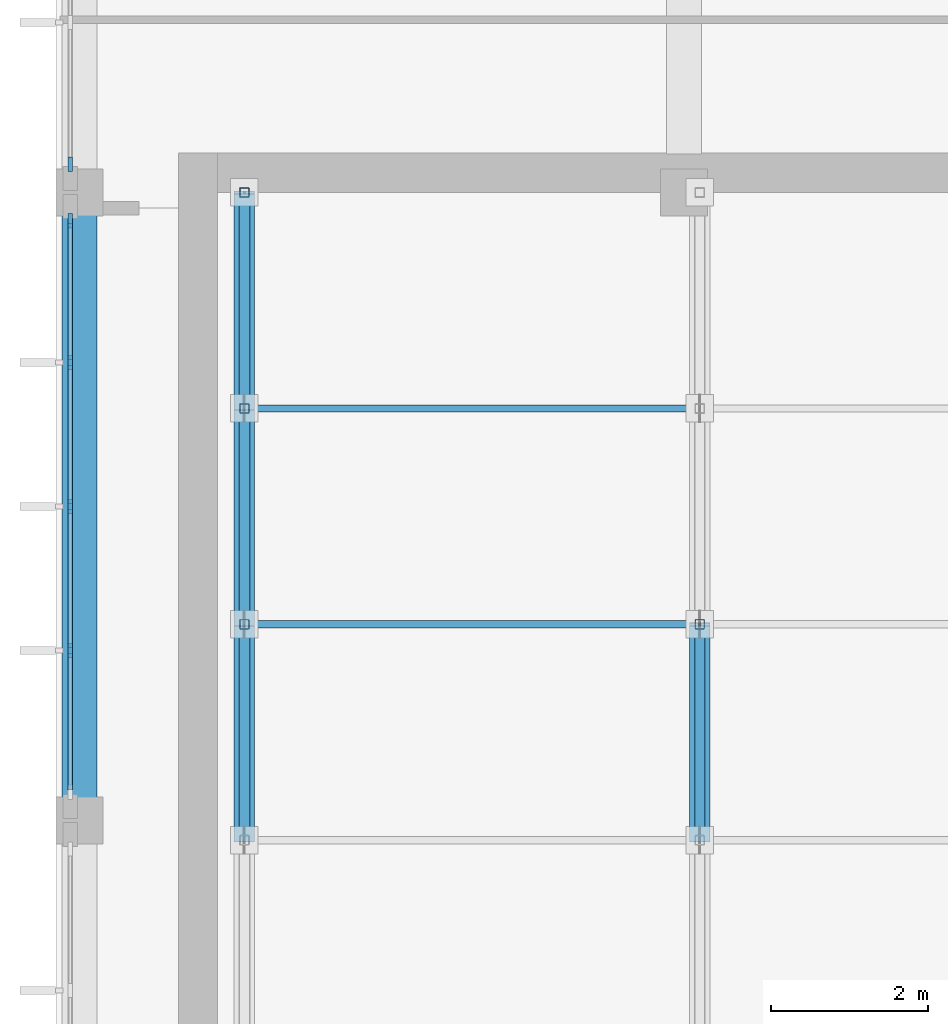
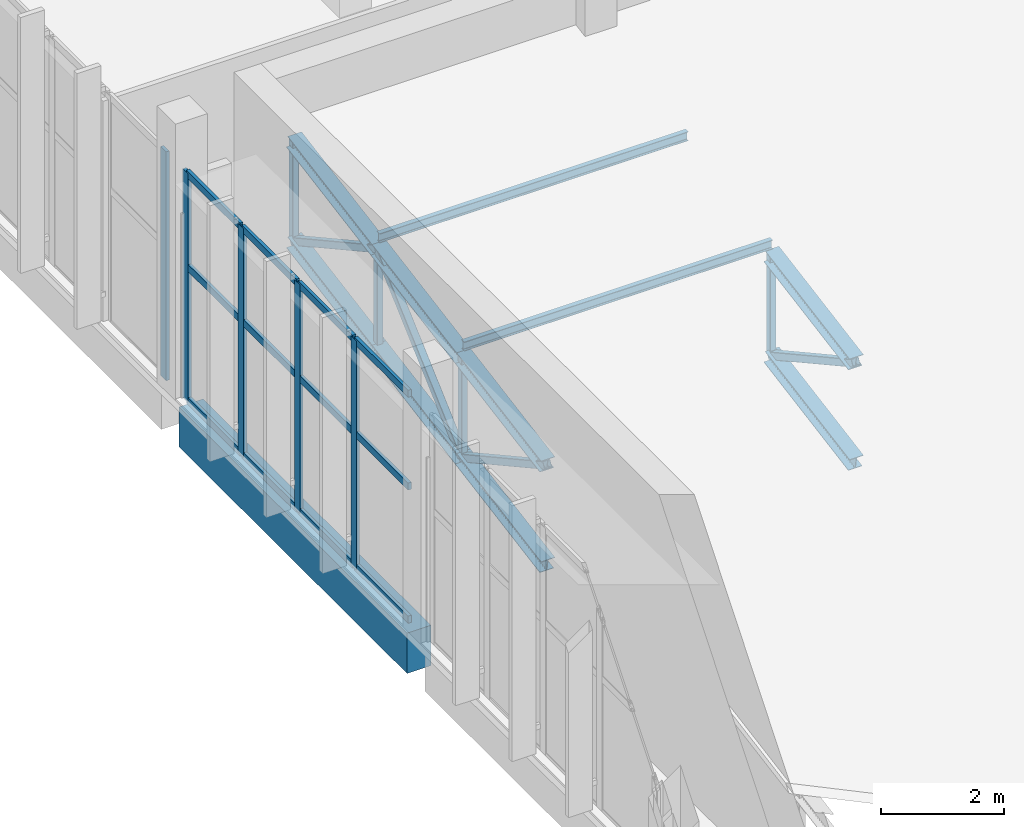
# One storey, part 17 of 132: 35 members, 1 beam, 2 elements without a shape of their own.
"""IFC4 building model written with IfcOpenShell, lengths in metres."""

from ifc_helpers import new_model, si_unit, direction, frame, origin, origin_2d, place, context, subcontext, project, spatial, rectangle, hollow_rectangle, i_section, extrude, material, layer, layer_set, material_profile, profile_set, type_object, element, aggregate, save


model = new_model("IFC4")

# Units and contexts
model_context = context("Model", 3, precision=1e-05, world=origin(), true_north=direction((0.0, 1.0)))
body_context = subcontext(model_context, "Body", "Model", "MODEL_VIEW")
ifc_project = project(units=[si_unit("LENGTHUNIT", "METRE"), si_unit("AREAUNIT", "SQUARE_METRE"), si_unit("VOLUMEUNIT", "CUBIC_METRE"), si_unit("PLANEANGLEUNIT", "RADIAN"), si_unit("MASSUNIT", "GRAM", prefix="KILO")], contexts=[model_context])

# Site, building, storey
site_placement = place(None, origin())
site = spatial("IfcSite", under=ifc_project, at=site_placement, CompositionType="ELEMENT")
building_placement = place(site_placement, origin())
building = spatial("IfcBuilding", under=site, at=building_placement, Name="Lunette Opera House", CompositionType="ELEMENT")
storey_placement = place(building_placement, frame((0.0, 0.0, 17.0)))
storey = spatial("IfcBuildingStorey", under=building, at=storey_placement, Name="L03", CompositionType="ELEMENT", Elevation=17.0)

# Members
ifc_material_1 = material(Name="Steel S355", Category="steel")
ifc_material_profile_1 = material_profile(ifc_material_1, i_section(OverallWidth=0.260009765625, OverallDepth=0.25, WebThickness=0.007568359375, FlangeThickness=0.012451171875, FilletRadius=0.02392578125, at=origin_2d()), Name="HEA 260")
ifc_profile_set_1 = profile_set([ifc_material_profile_1], Name="Steel S355")
member_type_1 = type_object("IfcMemberType", Name="CHORD HEA 260", PredefinedType="CHORD", material=ifc_profile_set_1)
for number, where, z_axis, x_axis, name in (
    (1, (10.39990234375, 79.75, 2.718994140625), (0.0, 0.984794998673, 0.173720495593), (-1.0, 0.0, 0.0), "mem-RW-L03-RW-TR01-TC6"),
    (2, (10.39990234375, 79.75, 0.718994140625), (0.0, 0.984794998673, 0.173720495593), (-1.0, 0.0, 0.0), "mem-RW-L03-RW-TR01-BC6"),
    (3, (10.39990234375, 82.5, 3.2041015625), (0.0, 0.984809952442, 0.173635703618), (-1.0, 0.0, 0.0), "mem-RW-L03-RW-TR01-TC7"),
    (4, (10.39990234375, 82.5, 1.2041015625), (0.0, 0.984809952442, 0.173635703618), (-1.0, 0.0, 0.0), "mem-RW-L03-RW-TR01-BC7"),
    (5, (10.39990234375, 85.25, 3.68896484375), (0.0, 0.984794998673, 0.173720495593), (-1.0, 0.0, 0.0), "mem-RW-L03-RW-TR01-TC8"),
    (6, (10.39990234375, 85.25, 1.68896484375), (0.0, 0.984794998673, 0.173720495593), (-1.0, 0.0, 0.0), "mem-RW-L03-RW-TR01-BC8"),
    (7, (16.199951171875, 79.75, 2.718994140625), (0.0, 0.984794998673, 0.173720495593), (-1.0, 0.0, 0.0), "mem-RW-L03-RW-TR02-TC6"),
    (8, (16.199951171875, 79.75, 0.718994140625), (0.0, 0.984794998673, 0.173720495593), (-1.0, 0.0, 0.0), "mem-RW-L03-RW-TR02-BC6"),
):
    element("IfcMember", number, at=place(storey_placement, frame(where, z_axis=z_axis, x_axis=x_axis)), inside=storey, type_object=member_type_1, Name=name, PredefinedType="CHORD", context=body_context, shape_type="SweptSolid", body=[
        extrude(i_section(OverallWidth=0.260009765625, OverallDepth=0.25, WebThickness=0.007568359375, FlangeThickness=0.012451171875, FilletRadius=0.02392578125, at=origin_2d()), origin(), (0.0, 0.0, 1.0), 2.79248046875),
    ])
ifc_material_2 = material(Name="Steel S355", Category="steel")
ifc_material_profile_2 = material_profile(ifc_material_2, hollow_rectangle(XDim=0.139892578125, YDim=0.139892578125, WallThickness=0.006103515625, InnerFilletRadius=0.006103515625, OuterFilletRadius=0.011962890625, at=origin_2d()), Name="RHS 140X140X6")
ifc_profile_set_2 = profile_set([ifc_material_profile_2], Name="Steel S355")
member_type_2 = type_object("IfcMemberType", Name="DIAGONAL RHS 140X140X6", PredefinedType="BRACE", material=ifc_profile_set_2)
member_1_placement = place(storey_placement, frame((10.39990234375, 79.75, 2.718994140625), z_axis=(0.0, 0.875893925299, -0.482503711513), x_axis=(-1.0, 0.0, 0.0)))
element("IfcMember", 9, at=member_1_placement, inside=storey, type_object=member_type_2, Name="mem-RW-L03-RW-TR01-TD6", PredefinedType="BRACE", context=body_context, shape_type="SweptSolid", body=[
    extrude(hollow_rectangle(XDim=0.139892578125, YDim=0.139892578125, WallThickness=0.006103515625, InnerFilletRadius=0.006103515625, OuterFilletRadius=0.011962890625, at=origin_2d()), origin(), (0.0, 0.0, 1.0), 3.1396484375),
])
member_2_placement = place(storey_placement, frame((10.39990234375, 82.5, 1.2041015625), z_axis=(0.0, 0.741969451931, 0.670433689787), x_axis=(-1.0, 0.0, 0.0)))
element("IfcMember", 10, at=member_2_placement, inside=storey, type_object=member_type_2, Name="mem-RW-L03-RW-TR01-TD7", PredefinedType="BRACE", context=body_context, shape_type="SweptSolid", body=[
    extrude(hollow_rectangle(XDim=0.139892578125, YDim=0.139892578125, WallThickness=0.006103515625, InnerFilletRadius=0.006103515625, OuterFilletRadius=0.011962890625, at=origin_2d()), origin(), (0.0, 0.0, 1.0), 3.706298828125),
])
for number, where, z_axis, x_axis, name in (
    (11, (10.39990234375, 85.25, 3.68896484375), (0.0, 0.875893925299, -0.482503711513), (-1.0, 0.0, 0.0), "mem-RW-L03-RW-TR01-TD8"),
    (12, (16.199951171875, 79.75, 2.718994140625), (0.0, 0.875893925299, -0.482503711513), (-1.0, 0.0, 0.0), "mem-RW-L03-RW-TR02-TD6"),
):
    element("IfcMember", number, at=place(storey_placement, frame(where, z_axis=z_axis, x_axis=x_axis)), inside=storey, type_object=member_type_2, Name=name, PredefinedType="BRACE", context=body_context, shape_type="SweptSolid", body=[
        extrude(hollow_rectangle(XDim=0.139892578125, YDim=0.139892578125, WallThickness=0.006103515625, InnerFilletRadius=0.006103515625, OuterFilletRadius=0.011962890625, at=origin_2d()), origin(), (0.0, 0.0, 1.0), 3.1396484375),
    ])

# Curtain wall, member
ifc_material_3 = material(Name="Aluminium", Category="aluminium")
ifc_layer = layer(ifc_material_3, 0.179931640625)
ifc_layer_set = layer_set([ifc_layer], Name="Aluminium")
curtain_wall_type = type_object("IfcCurtainWallType", Name="SUN FACE CURTAIN WALL", PredefinedType="NOTDEFINED", material=ifc_layer_set)
curtain_wall_1_placement = place(storey_placement, origin())
curtain_wall_1 = element("IfcCurtainWall", 13, at=curtain_wall_1_placement, inside=storey, type_object=curtain_wall_type, Name="Sun Face Curtain Wall F15 L03", PredefinedType="NOTDEFINED")
ifc_material_4 = material(Name="Aluminium", Category="aluminium")
ifc_material_profile_3 = material_profile(ifc_material_4, rectangle(XDim=0.06005859375, YDim=0.179931640625, at=origin_2d()), Name="MULLION 60 X 180")
ifc_profile_set_3 = profile_set([ifc_material_profile_3], Name="Aluminium")
member_type_3 = type_object("IfcMemberType", Name="MULLION 60 X 180", PredefinedType="MULLION", material=ifc_profile_set_3)
member_3_placement = place(storey_placement, frame((8.181884765625, 88.360107421875, 0.0), z_axis=(0.0, 0.0, 1.0), x_axis=(1.0, 0.0, 0.0)))
member_3 = element("IfcMember", 14, at=member_3_placement, type_object=member_type_3, Name="RW-X2045 mullion 5", PredefinedType="MULLION", context=body_context, shape_type="SweptSolid", body=[
    extrude(rectangle(XDim=0.06005859375, YDim=0.179931640625, at=origin_2d()), origin(), (0.0, 0.0, 1.0), 4.550048828125),
])
aggregate(curtain_wall_1, [member_3])

# Curtain wall, members
curtain_wall_2_placement = place(storey_placement, origin())
curtain_wall_2 = element("IfcCurtainWall", 15, at=curtain_wall_2_placement, inside=storey, type_object=curtain_wall_type, Name="Sun Face Curtain Wall F16 L03", PredefinedType="NOTDEFINED")
member_4_placement = place(storey_placement, frame((8.181884765625, 87.639892578125, 0.0), z_axis=(0.0, 0.0, 1.0), x_axis=(1.0, 0.0, 0.0)))
member_4 = element("IfcMember", 16, at=member_4_placement, type_object=member_type_3, Name="RW-X2046 mullion 1", PredefinedType="MULLION", context=body_context, shape_type="SweptSolid", body=[
    extrude(rectangle(XDim=0.06005859375, YDim=0.179931640625, at=origin_2d()), origin(), (0.0, 0.0, 1.0), 4.550048828125),
])
member_5_placement = place(storey_placement, frame((8.181884765625, 85.8349609375, 0.0), z_axis=(0.0, 0.0, 1.0), x_axis=(1.0, 0.0, 0.0)))
member_5 = element("IfcMember", 17, at=member_5_placement, type_object=member_type_3, Name="RW-X2046 mullion 2", PredefinedType="MULLION", context=body_context, shape_type="SweptSolid", body=[
    extrude(rectangle(XDim=0.06005859375, YDim=0.179931640625, at=origin_2d()), origin(), (0.0, 0.0, 1.0), 4.550048828125),
])
member_6_placement = place(storey_placement, frame((8.181884765625, 84.0, 0.0), z_axis=(0.0, 0.0, 1.0), x_axis=(1.0, 0.0, 0.0)))
member_6 = element("IfcMember", 18, at=member_6_placement, type_object=member_type_3, Name="RW-X2046 mullion 3", PredefinedType="MULLION", context=body_context, shape_type="SweptSolid", body=[
    extrude(rectangle(XDim=0.06005859375, YDim=0.179931640625, at=origin_2d()), origin(), (0.0, 0.0, 1.0), 4.550048828125),
])
member_7_placement = place(storey_placement, frame((8.181884765625, 82.1650390625, 0.0), z_axis=(0.0, 0.0, 1.0), x_axis=(1.0, 0.0, 0.0)))
member_7 = element("IfcMember", 19, at=member_7_placement, type_object=member_type_3, Name="RW-X2046 mullion 4", PredefinedType="MULLION", context=body_context, shape_type="SweptSolid", body=[
    extrude(rectangle(XDim=0.06005859375, YDim=0.179931640625, at=origin_2d()), origin(), (0.0, 0.0, 1.0), 4.550048828125),
])

# Members
ifc_material_5 = material(Name="Steel S355", Category="steel")
ifc_material_profile_4 = material_profile(ifc_material_5, i_section(OverallWidth=0.091064453125, OverallDepth=0.179931640625, WebThickness=0.00537109375, FlangeThickness=0.008056640625, FilletRadius=0.009033203125, at=origin_2d()), Name="IPE 180")
ifc_profile_set_4 = profile_set([ifc_material_profile_4], Name="Steel S355")
member_type_4 = type_object("IfcMemberType", Name="PURLIN IPE 180", PredefinedType="PURLIN", material=ifc_profile_set_4)
for number, where, z_axis, x_axis, name in (
    (20, (10.39990234375, 82.5, 3.4189453125), (1.0, 0.0, 0.0), (0.0, 1.0, 0.0), "mem-RW-L03-RW-PU7-1"),
    (21, (10.39990234375, 85.25, 3.904052734375), (1.0, 0.0, 0.0), (0.0, 1.0, 0.0), "mem-RW-L03-RW-PU8-1"),
):
    element("IfcMember", number, at=place(storey_placement, frame(where, z_axis=z_axis, x_axis=x_axis)), inside=storey, type_object=member_type_4, Name=name, PredefinedType="PURLIN", context=body_context, shape_type="SweptSolid", body=[
        extrude(i_section(OverallWidth=0.091064453125, OverallDepth=0.179931640625, WebThickness=0.00537109375, FlangeThickness=0.008056640625, FilletRadius=0.009033203125, at=origin_2d()), origin(), (0.0, 0.0, 1.0), 5.800048828125),
    ])

# Beam
ifc_material_6 = material(Name="Concrete C35/45", Category="concrete")
ifc_material_profile_5 = material_profile(ifc_material_6, rectangle(XDim=0.449951171875, YDim=0.800048828125, at=origin_2d()), Name="RC BEAM 450X800")
ifc_profile_set_5 = profile_set([ifc_material_profile_5], Name="Concrete C35/45")
beam_type = type_object("IfcBeamType", Name="RC BEAM 450X800", PredefinedType="BEAM", material=ifc_profile_set_5)
beam_placement = place(storey_placement, frame((8.300048828125, 80.2900390625, -0.550048828125), z_axis=(0.0, 1.0, 0.0), x_axis=(-1.0, 0.0, 0.0)))
element("IfcBeam", 22, at=beam_placement, inside=storey, type_object=beam_type, Name="beam-RW-L03-L03-GY02", PredefinedType="BEAM", context=body_context, shape_type="SweptSolid", body=[
    extrude(rectangle(XDim=0.449951171875, YDim=0.800048828125, at=origin_2d()), origin(), (0.0, 0.0, 1.0), 7.419921875),
])

# Member
ifc_material_7 = material(Name="Aluminium", Category="aluminium")
ifc_material_profile_6 = material_profile(ifc_material_7, rectangle(XDim=0.06005859375, YDim=0.139892578125, at=origin_2d()), Name="TRANSOM 60 X 140")
ifc_profile_set_6 = profile_set([ifc_material_profile_6], Name="Aluminium")
member_type_5 = type_object("IfcMemberType", Name="TRANSOM 60 X 140", PredefinedType="USERDEFINED", material=ifc_profile_set_6)
member_8_placement = place(storey_placement, frame((8.181884765625, 87.610107421875, 0.030029296875), z_axis=(0.0, -1.0, 0.0), x_axis=(1.0, 0.0, 0.0)))
member_8 = element("IfcMember", 23, at=member_8_placement, type_object=member_type_5, Name="RW-X2046 transom 1.1", ObjectType="TRANSOM", PredefinedType="USERDEFINED", context=body_context, shape_type="SweptSolid", body=[
    extrude(rectangle(XDim=0.06005859375, YDim=0.139892578125, at=origin_2d()), origin(), (0.0, 0.0, 1.0), 1.7451171875),
])

member_9_placement = place(storey_placement, frame((8.181884765625, 87.610107421875, 2.675048828125), z_axis=(0.0, -1.0, 0.0), x_axis=(1.0, 0.0, 0.0)))
member_9 = element("IfcMember", 24, at=member_9_placement, type_object=member_type_5, Name="RW-X2046 transom 1.2", ObjectType="TRANSOM", PredefinedType="USERDEFINED", context=body_context, shape_type="SweptSolid", body=[
    extrude(rectangle(XDim=0.06005859375, YDim=0.139892578125, at=origin_2d()), origin(), (0.0, 0.0, 1.0), 1.7451171875),
])

member_10_placement = place(storey_placement, frame((8.181884765625, 87.610107421875, 4.52001953125), z_axis=(0.0, -1.0, 0.0), x_axis=(1.0, 0.0, 0.0)))
member_10 = element("IfcMember", 25, at=member_10_placement, type_object=member_type_5, Name="RW-X2046 transom 1.3", ObjectType="TRANSOM", PredefinedType="USERDEFINED", context=body_context, shape_type="SweptSolid", body=[
    extrude(rectangle(XDim=0.06005859375, YDim=0.139892578125, at=origin_2d()), origin(), (0.0, 0.0, 1.0), 1.7451171875),
])

member_11_placement = place(storey_placement, frame((8.181884765625, 85.804931640625, 0.030029296875), z_axis=(0.0, -1.0, 0.0), x_axis=(1.0, 0.0, 0.0)))
member_11 = element("IfcMember", 26, at=member_11_placement, type_object=member_type_5, Name="RW-X2046 transom 2.1", ObjectType="TRANSOM", PredefinedType="USERDEFINED", context=body_context, shape_type="SweptSolid", body=[
    extrude(rectangle(XDim=0.06005859375, YDim=0.139892578125, at=origin_2d()), origin(), (0.0, 0.0, 1.0), 1.77490234375),
])

member_12_placement = place(storey_placement, frame((8.181884765625, 85.804931640625, 2.675048828125), z_axis=(0.0, -1.0, 0.0), x_axis=(1.0, 0.0, 0.0)))
member_12 = element("IfcMember", 27, at=member_12_placement, type_object=member_type_5, Name="RW-X2046 transom 2.2", ObjectType="TRANSOM", PredefinedType="USERDEFINED", context=body_context, shape_type="SweptSolid", body=[
    extrude(rectangle(XDim=0.06005859375, YDim=0.139892578125, at=origin_2d()), origin(), (0.0, 0.0, 1.0), 1.77490234375),
])

member_13_placement = place(storey_placement, frame((8.181884765625, 85.804931640625, 4.52001953125), z_axis=(0.0, -1.0, 0.0), x_axis=(1.0, 0.0, 0.0)))
member_13 = element("IfcMember", 28, at=member_13_placement, type_object=member_type_5, Name="RW-X2046 transom 2.3", ObjectType="TRANSOM", PredefinedType="USERDEFINED", context=body_context, shape_type="SweptSolid", body=[
    extrude(rectangle(XDim=0.06005859375, YDim=0.139892578125, at=origin_2d()), origin(), (0.0, 0.0, 1.0), 1.77490234375),
])

member_14_placement = place(storey_placement, frame((8.181884765625, 83.969970703125, 0.030029296875), z_axis=(0.0, -1.0, 0.0), x_axis=(1.0, 0.0, 0.0)))
member_14 = element("IfcMember", 29, at=member_14_placement, type_object=member_type_5, Name="RW-X2046 transom 3.1", ObjectType="TRANSOM", PredefinedType="USERDEFINED", context=body_context, shape_type="SweptSolid", body=[
    extrude(rectangle(XDim=0.06005859375, YDim=0.139892578125, at=origin_2d()), origin(), (0.0, 0.0, 1.0), 1.77490234375),
])

member_15_placement = place(storey_placement, frame((8.181884765625, 83.969970703125, 2.675048828125), z_axis=(0.0, -1.0, 0.0), x_axis=(1.0, 0.0, 0.0)))
member_15 = element("IfcMember", 30, at=member_15_placement, type_object=member_type_5, Name="RW-X2046 transom 3.2", ObjectType="TRANSOM", PredefinedType="USERDEFINED", context=body_context, shape_type="SweptSolid", body=[
    extrude(rectangle(XDim=0.06005859375, YDim=0.139892578125, at=origin_2d()), origin(), (0.0, 0.0, 1.0), 1.77490234375),
])

member_16_placement = place(storey_placement, frame((8.181884765625, 83.969970703125, 4.52001953125), z_axis=(0.0, -1.0, 0.0), x_axis=(1.0, 0.0, 0.0)))
member_16 = element("IfcMember", 31, at=member_16_placement, type_object=member_type_5, Name="RW-X2046 transom 3.3", ObjectType="TRANSOM", PredefinedType="USERDEFINED", context=body_context, shape_type="SweptSolid", body=[
    extrude(rectangle(XDim=0.06005859375, YDim=0.139892578125, at=origin_2d()), origin(), (0.0, 0.0, 1.0), 1.77490234375),
])

member_17_placement = place(storey_placement, frame((8.181884765625, 82.135009765625, 0.030029296875), z_axis=(0.0, -1.0, 0.0), x_axis=(1.0, 0.0, 0.0)))
member_17 = element("IfcMember", 32, at=member_17_placement, type_object=member_type_5, Name="RW-X2046 transom 4.1", ObjectType="TRANSOM", PredefinedType="USERDEFINED", context=body_context, shape_type="SweptSolid", body=[
    extrude(rectangle(XDim=0.06005859375, YDim=0.139892578125, at=origin_2d()), origin(), (0.0, 0.0, 1.0), 1.7451171875),
])

member_18_placement = place(storey_placement, frame((8.181884765625, 82.135009765625, 2.675048828125), z_axis=(0.0, -1.0, 0.0), x_axis=(1.0, 0.0, 0.0)))
member_18 = element("IfcMember", 33, at=member_18_placement, type_object=member_type_5, Name="RW-X2046 transom 4.2", ObjectType="TRANSOM", PredefinedType="USERDEFINED", context=body_context, shape_type="SweptSolid", body=[
    extrude(rectangle(XDim=0.06005859375, YDim=0.139892578125, at=origin_2d()), origin(), (0.0, 0.0, 1.0), 1.7451171875),
])

member_19_placement = place(storey_placement, frame((8.181884765625, 82.135009765625, 4.52001953125), z_axis=(0.0, -1.0, 0.0), x_axis=(1.0, 0.0, 0.0)))
member_19 = element("IfcMember", 34, at=member_19_placement, type_object=member_type_5, Name="RW-X2046 transom 4.3", ObjectType="TRANSOM", PredefinedType="USERDEFINED", context=body_context, shape_type="SweptSolid", body=[
    extrude(rectangle(XDim=0.06005859375, YDim=0.139892578125, at=origin_2d()), origin(), (0.0, 0.0, 1.0), 1.7451171875),
])

aggregate(curtain_wall_2, [member_4, member_5, member_6, member_7, member_8, member_9, member_10, member_11, member_12, member_13, member_14, member_15, member_16, member_17, member_18, member_19])

# Members
ifc_material_8 = material(Name="Steel S355", Category="steel")
ifc_material_profile_7 = material_profile(ifc_material_8, hollow_rectangle(XDim=0.1201171875, YDim=0.1201171875, WallThickness=0.0048828125, InnerFilletRadius=0.0048828125, OuterFilletRadius=0.010009765625, at=origin_2d()), Name="RHS 120X120X5")
ifc_profile_set_7 = profile_set([ifc_material_profile_7], Name="Steel S355")
member_type_6 = type_object("IfcMemberType", Name="VERTICAL RHS 120X120X5", PredefinedType="POST", material=ifc_profile_set_7)
for number, where, z_axis, x_axis, name in (
    (35, (10.39990234375, 82.5, 1.2041015625), (0.0, 0.0, 1.0), (1.0, 0.0, 0.0), "mem-RW-L03-RW-TR01-TV7"),
    (36, (10.39990234375, 85.25, 1.68896484375), (0.0, 0.0, 1.0), (1.0, 0.0, 0.0), "mem-RW-L03-RW-TR01-TV8"),
    (37, (10.39990234375, 88.0, 2.174072265625), (0.0, 0.0, 1.0), (1.0, 0.0, 0.0), "mem-RW-L03-RW-TR01-TV9"),
    (38, (16.199951171875, 82.5, 1.2041015625), (0.0, 0.0, 1.0), (1.0, 0.0, 0.0), "mem-RW-L03-RW-TR02-TV7"),
):
    element("IfcMember", number, at=place(storey_placement, frame(where, z_axis=z_axis, x_axis=x_axis)), inside=storey, type_object=member_type_6, Name=name, PredefinedType="POST", context=body_context, shape_type="SweptSolid", body=[
        extrude(hollow_rectangle(XDim=0.1201171875, YDim=0.1201171875, WallThickness=0.0048828125, InnerFilletRadius=0.0048828125, OuterFilletRadius=0.010009765625, at=origin_2d()), origin(), (0.0, 0.0, 1.0), 2.0),
    ])

save(model, "model.ifc")
